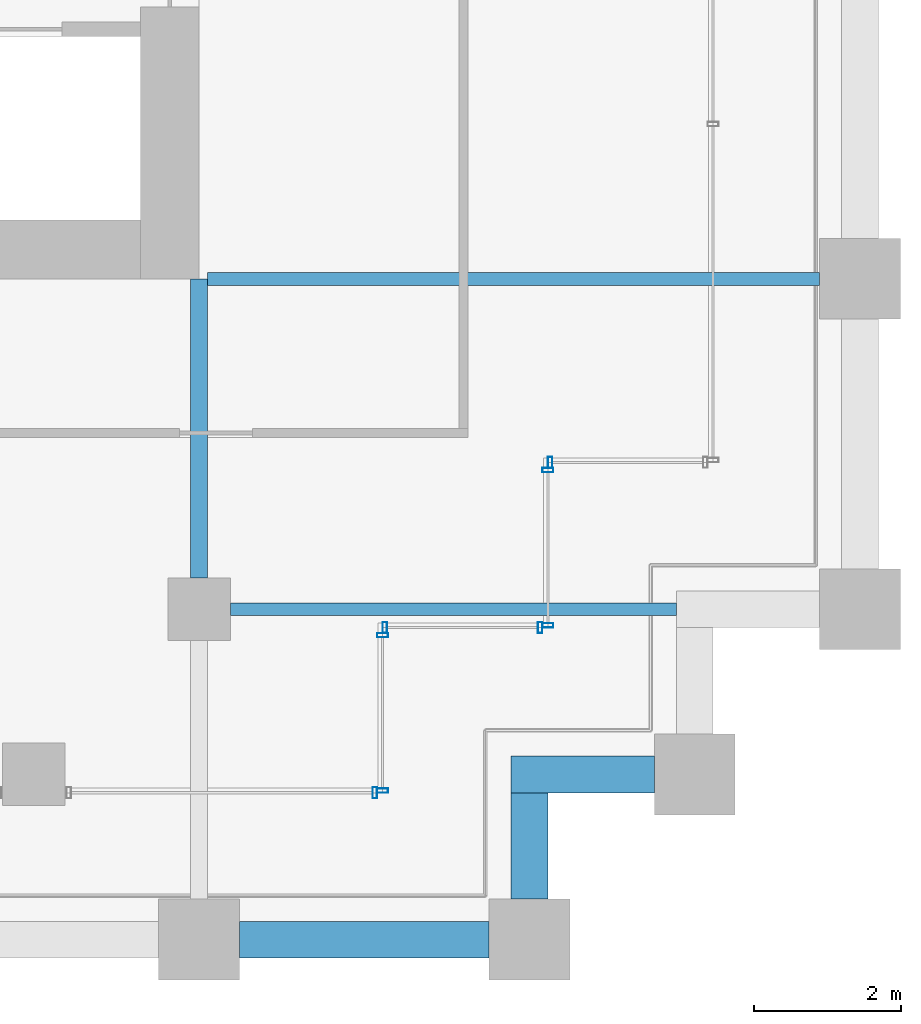
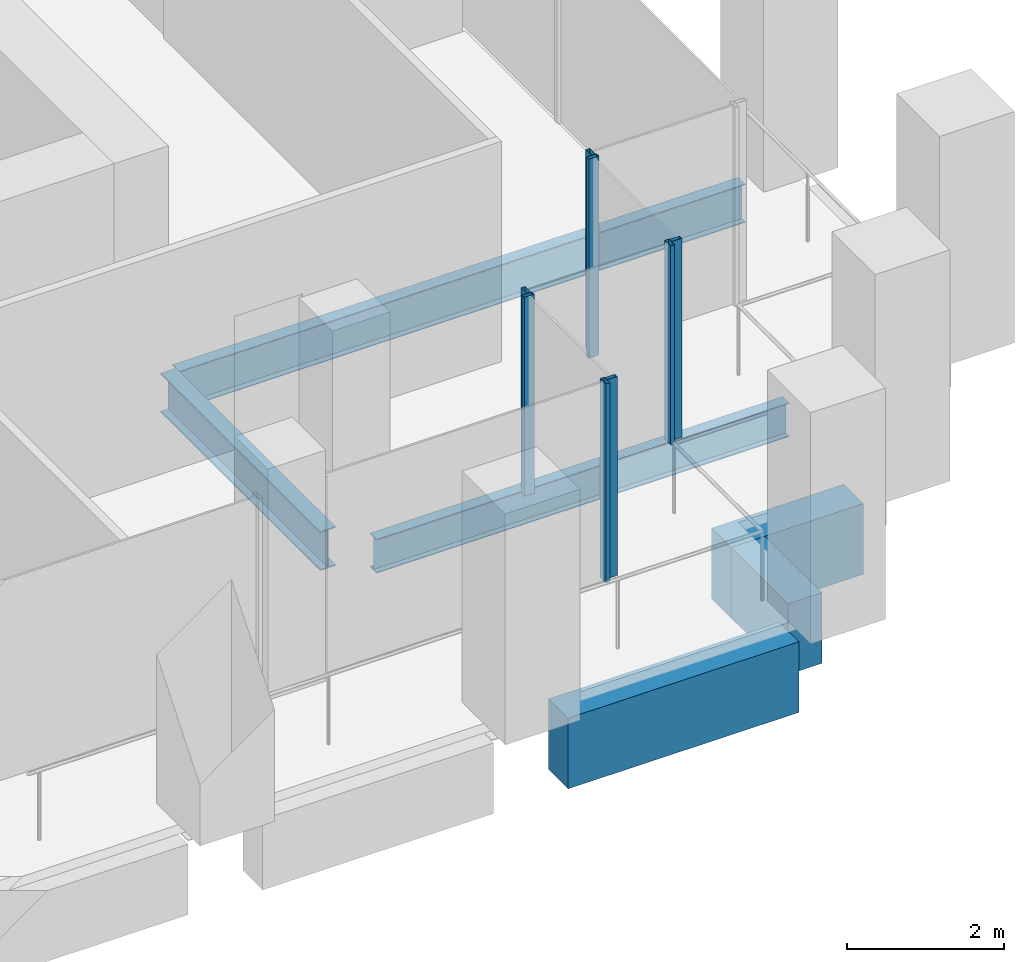
# One storey, part 38 of 56: 8 members, 6 beams, 5 elements without a shape of their own.
"""IFC4 building model written with IfcOpenShell, lengths in metres."""

from ifc_helpers import new_model, si_unit, direction, frame, origin, origin_2d, place, context, subcontext, project, spatial, rectangle, hollow_rectangle, i_section, extrude, material, material_profile, profile_set, type_object, element, aggregate, save


model = new_model("IFC4")

# Units and contexts
model_context = context("Model", 3, precision=1e-05, world=origin(), true_north=direction((0.0, 1.0)))
body_context = subcontext(model_context, "Body", "Model", "MODEL_VIEW")
ifc_project = project(units=[si_unit("LENGTHUNIT", "METRE"), si_unit("AREAUNIT", "SQUARE_METRE"), si_unit("VOLUMEUNIT", "CUBIC_METRE"), si_unit("PLANEANGLEUNIT", "RADIAN"), si_unit("MASSUNIT", "GRAM", prefix="KILO")], contexts=[model_context])

# Site, building, storey
site_placement = place(None, origin())
site = spatial("IfcSite", under=ifc_project, at=site_placement, CompositionType="ELEMENT")
building_placement = place(site_placement, origin())
building = spatial("IfcBuilding", under=site, at=building_placement, Name="Altepetl Exchange Towers", CompositionType="ELEMENT")
storey_placement = place(building_placement, frame((0.0, 0.0, 69.0)))
storey = spatial("IfcBuildingStorey", under=building, at=storey_placement, Name="L16", CompositionType="ELEMENT", Elevation=69.0)

# Beams
ifc_material_1 = material(Name="Steel S355", Category="steel")
ifc_material_profile_1 = material_profile(ifc_material_1, i_section(OverallWidth=0.166015625, OverallDepth=0.529052734375, WebThickness=0.009765625, FlangeThickness=0.013671875, at=origin_2d()), Name="W21X50")
ifc_profile_set_1 = profile_set([ifc_material_profile_1], Name="Steel S355")
beam_type_1 = type_object("IfcBeamType", Name="Floor beam W21X50", PredefinedType="BEAM", material=ifc_profile_set_1)
beam_1_placement = place(storey_placement, frame((117.425048828125, 31.5, -0.41455078125), z_axis=(1.0, 0.0, 0.0), x_axis=(0.0, 1.0, 0.0)))
element("IfcBeam", 1, at=beam_1_placement, inside=storey, type_object=beam_type_1, Name="bm:B:L16:004", PredefinedType="BEAM", context=body_context, shape_type="SweptSolid", body=[
    extrude(i_section(OverallWidth=0.166015625, OverallDepth=0.529052734375, WebThickness=0.009765625, FlangeThickness=0.013671875, at=origin_2d()), origin(), (0.0, 0.0, 1.0), 6.074951171875),
])
ifc_material_profile_2 = material_profile(ifc_material_1, i_section(OverallWidth=0.177978515625, OverallDepth=0.59912109375, WebThickness=0.010009765625, FlangeThickness=0.0126953125, at=origin_2d()), Name="W24X55")
ifc_profile_set_2 = profile_set([ifc_material_profile_2], Name="Steel S355")
beam_type_2 = type_object("IfcBeamType", Name="Floor beam W24X55", PredefinedType="BEAM", material=ifc_profile_set_2)
beam_2_placement = place(storey_placement, frame((117.114013671875, 36.0, -0.449462890625), z_axis=(1.0, 0.0, 0.0), x_axis=(0.0, 1.0, 0.0)))
element("IfcBeam", 2, at=beam_2_placement, inside=storey, type_object=beam_type_2, Name="bm:B:L16:005", PredefinedType="BEAM", context=body_context, shape_type="SweptSolid", body=[
    extrude(i_section(OverallWidth=0.177978515625, OverallDepth=0.59912109375, WebThickness=0.010009765625, FlangeThickness=0.0126953125, at=origin_2d()), origin(), (0.0, 0.0, 1.0), 8.3359375),
])
ifc_material_profile_3 = material_profile(ifc_material_1, i_section(OverallWidth=0.22802734375, OverallDepth=0.60791015625, WebThickness=0.01123046875, FlangeThickness=0.017333984375, at=origin_2d()), Name="W24X76")
ifc_profile_set_3 = profile_set([ifc_material_profile_3], Name="Steel S355")
beam_type_3 = type_object("IfcBeamType", Name="Girder W24X76", PredefinedType="BEAM", material=ifc_profile_set_3)
beam_3_placement = place(storey_placement, frame((117.0, 36.0, -0.4541015625), z_axis=(0.0, -1.0, 0.0), x_axis=(1.0, 0.0, 0.0)))
element("IfcBeam", 3, at=beam_3_placement, inside=storey, type_object=beam_type_3, Name="gd:B:L16:004", PredefinedType="BEAM", context=body_context, shape_type="SweptSolid", body=[
    extrude(i_section(OverallWidth=0.22802734375, OverallDepth=0.60791015625, WebThickness=0.01123046875, FlangeThickness=0.017333984375, at=origin_2d()), origin(), (0.0, 0.0, 1.0), 4.074951171875),
])

# Curtain wall, member
ifc_material_2 = material(Name="Aluminium 6063-T6 glazing", Category="aluminium")
curtain_wall_type = type_object("IfcCurtainWallType", Name="Loggia glazing system", PredefinedType="NOTDEFINED", material=ifc_material_2)
curtain_wall_1_placement = place(storey_placement, origin())
curtain_wall_1 = element("IfcCurtainWall", 4, at=curtain_wall_1_placement, inside=storey, type_object=curtain_wall_type, Name="CW1 run", PredefinedType="NOTDEFINED")
ifc_material_3 = material(Name="Aluminium 6063-T6", Category="aluminium")
ifc_material_profile_4 = material_profile(ifc_material_3, hollow_rectangle(XDim=0.06005859375, YDim=0.14990234375, WallThickness=0.0029296875, at=origin_2d()), Name="Mullion 60x150 aluminium")
ifc_profile_set_4 = profile_set([ifc_material_profile_4], Name="Aluminium 6063-T6")
member_type = type_object("IfcMemberType", Name="Mullion 60x150 aluminium", PredefinedType="MULLION", material=ifc_profile_set_4)
member_1_placement = place(storey_placement, frame((119.39501953125, 29.0, 0.0)))
member_1 = element("IfcMember", 5, at=member_1_placement, type_object=member_type, Name="MU1 mullion", PredefinedType="MULLION", context=body_context, shape_type="SweptSolid", body=[
    extrude(hollow_rectangle(XDim=0.06005859375, YDim=0.14990234375, WallThickness=0.0029296875, at=origin_2d()), origin(), (0.0, 0.0, 1.0), 3.10009765625),
])
aggregate(curtain_wall_1, [member_1])

# Curtain wall, members
curtain_wall_2_placement = place(storey_placement, origin())
curtain_wall_2 = element("IfcCurtainWall", 6, at=curtain_wall_2_placement, inside=storey, type_object=curtain_wall_type, Name="CW1 run", PredefinedType="NOTDEFINED")
member_2_placement = place(storey_placement, frame((119.5, 29.030029296875, 0.0), z_axis=(0.0, 0.0, 1.0), x_axis=(0.0, 1.0, 0.0)))
member_2 = element("IfcMember", 7, at=member_2_placement, type_object=member_type, Name="MU1 mullion", PredefinedType="MULLION", context=body_context, shape_type="SweptSolid", body=[
    extrude(hollow_rectangle(XDim=0.06005859375, YDim=0.14990234375, WallThickness=0.0029296875, at=origin_2d()), origin(), (0.0, 0.0, 1.0), 3.10009765625),
])
member_3_placement = place(storey_placement, frame((119.5, 31.14501953125, 0.0), z_axis=(0.0, 0.0, 1.0), x_axis=(0.0, 1.0, 0.0)))
member_3 = element("IfcMember", 8, at=member_3_placement, type_object=member_type, Name="MU1 mullion", PredefinedType="MULLION", context=body_context, shape_type="SweptSolid", body=[
    extrude(hollow_rectangle(XDim=0.06005859375, YDim=0.14990234375, WallThickness=0.0029296875, at=origin_2d()), origin(), (0.0, 0.0, 1.0), 3.10009765625),
])
aggregate(curtain_wall_2, [member_2, member_3])

curtain_wall_3_placement = place(storey_placement, origin())
curtain_wall_3 = element("IfcCurtainWall", 9, at=curtain_wall_3_placement, inside=storey, type_object=curtain_wall_type, Name="CW1 run", PredefinedType="NOTDEFINED")
member_4_placement = place(storey_placement, frame((119.530029296875, 31.25, 0.0)))
member_4 = element("IfcMember", 10, at=member_4_placement, type_object=member_type, Name="MU1 mullion", PredefinedType="MULLION", context=body_context, shape_type="SweptSolid", body=[
    extrude(hollow_rectangle(XDim=0.06005859375, YDim=0.14990234375, WallThickness=0.0029296875, at=origin_2d()), origin(), (0.0, 0.0, 1.0), 3.10009765625),
])
member_5_placement = place(storey_placement, frame((121.64501953125, 31.25, 0.0)))
member_5 = element("IfcMember", 11, at=member_5_placement, type_object=member_type, Name="MU1 mullion", PredefinedType="MULLION", context=body_context, shape_type="SweptSolid", body=[
    extrude(hollow_rectangle(XDim=0.06005859375, YDim=0.14990234375, WallThickness=0.0029296875, at=origin_2d()), origin(), (0.0, 0.0, 1.0), 3.10009765625),
])
aggregate(curtain_wall_3, [member_4, member_5])

curtain_wall_4_placement = place(storey_placement, origin())
curtain_wall_4 = element("IfcCurtainWall", 12, at=curtain_wall_4_placement, inside=storey, type_object=curtain_wall_type, Name="CW1 run", PredefinedType="NOTDEFINED")
member_6_placement = place(storey_placement, frame((121.75, 31.280029296875, 0.0), z_axis=(0.0, 0.0, 1.0), x_axis=(0.0, 1.0, 0.0)))
member_6 = element("IfcMember", 13, at=member_6_placement, type_object=member_type, Name="MU1 mullion", PredefinedType="MULLION", context=body_context, shape_type="SweptSolid", body=[
    extrude(hollow_rectangle(XDim=0.06005859375, YDim=0.14990234375, WallThickness=0.0029296875, at=origin_2d()), origin(), (0.0, 0.0, 1.0), 3.10009765625),
])
member_7_placement = place(storey_placement, frame((121.75, 33.39501953125, 0.0), z_axis=(0.0, 0.0, 1.0), x_axis=(0.0, 1.0, 0.0)))
member_7 = element("IfcMember", 14, at=member_7_placement, type_object=member_type, Name="MU1 mullion", PredefinedType="MULLION", context=body_context, shape_type="SweptSolid", body=[
    extrude(hollow_rectangle(XDim=0.06005859375, YDim=0.14990234375, WallThickness=0.0029296875, at=origin_2d()), origin(), (0.0, 0.0, 1.0), 3.10009765625),
])
aggregate(curtain_wall_4, [member_6, member_7])

# Curtain wall, member
curtain_wall_5_placement = place(storey_placement, origin())
curtain_wall_5 = element("IfcCurtainWall", 15, at=curtain_wall_5_placement, inside=storey, type_object=curtain_wall_type, Name="CW1 run", PredefinedType="NOTDEFINED")
member_8_placement = place(storey_placement, frame((121.780029296875, 33.5, 0.0)))
member_8 = element("IfcMember", 16, at=member_8_placement, type_object=member_type, Name="MU1 mullion", PredefinedType="MULLION", context=body_context, shape_type="SweptSolid", body=[
    extrude(hollow_rectangle(XDim=0.06005859375, YDim=0.14990234375, WallThickness=0.0029296875, at=origin_2d()), origin(), (0.0, 0.0, 1.0), 3.10009765625),
])
aggregate(curtain_wall_5, [member_8])

# Beams
ifc_material_4 = material(Name="Concrete C50/60 precast with cantera blanca facing", Category="concrete")
ifc_material_profile_5 = material_profile(ifc_material_4, rectangle(XDim=0.5, YDim=1.10009765625, at=origin_2d()), Name="500 x 1100")
ifc_profile_set_5 = profile_set([ifc_material_profile_5], Name="Concrete C50/60 precast with cantera blanca facing")
beam_type_4 = type_object("IfcBeamType", Name="Spandrel beam 500x1100 cantera blanca", PredefinedType="SPANDREL", material=ifc_profile_set_5)
beam_4_placement = place(storey_placement, frame((117.550048828125, 27.0, -0.699951171875), z_axis=(1.0, 0.0, 0.0), x_axis=(0.0, 1.0, 0.0)))
element("IfcBeam", 17, at=beam_4_placement, inside=storey, type_object=beam_type_4, Name="sp:B:L16:004", PredefinedType="SPANDREL", context=body_context, shape_type="SweptSolid", body=[
    extrude(rectangle(XDim=0.5, YDim=1.10009765625, at=origin_2d()), origin(), (0.0, 0.0, 1.0), 3.39990234375),
])
beam_5_placement = place(storey_placement, frame((121.5, 27.550048828125, -0.699951171875), z_axis=(0.0, 1.0, 0.0), x_axis=(-1.0, 0.0, 0.0)))
element("IfcBeam", 18, at=beam_5_placement, inside=storey, type_object=beam_type_4, Name="sp:B:L16:005", PredefinedType="SPANDREL", context=body_context, shape_type="SweptSolid", body=[
    extrude(rectangle(XDim=0.5, YDim=1.10009765625, at=origin_2d()), origin(), (0.0, 0.0, 1.0), 1.449951171875),
])
beam_6_placement = place(storey_placement, frame((121.25, 29.25, -0.699951171875), z_axis=(1.0, 0.0, 0.0), x_axis=(0.0, 1.0, 0.0)))
element("IfcBeam", 19, at=beam_6_placement, inside=storey, type_object=beam_type_4, Name="sp:B:L16:006", PredefinedType="SPANDREL", context=body_context, shape_type="SweptSolid", body=[
    extrude(rectangle(XDim=0.5, YDim=1.10009765625, at=origin_2d()), origin(), (0.0, 0.0, 1.0), 1.949951171875),
])

save(model, "model.ifc")
